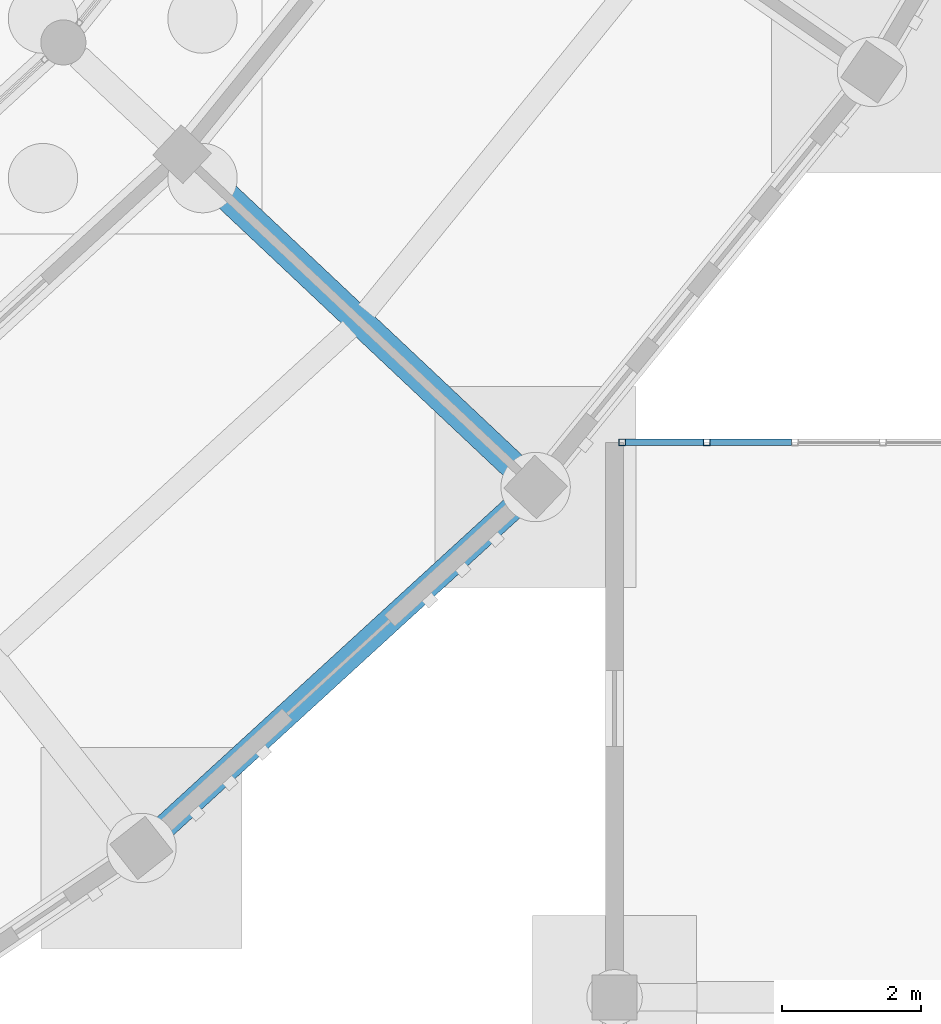
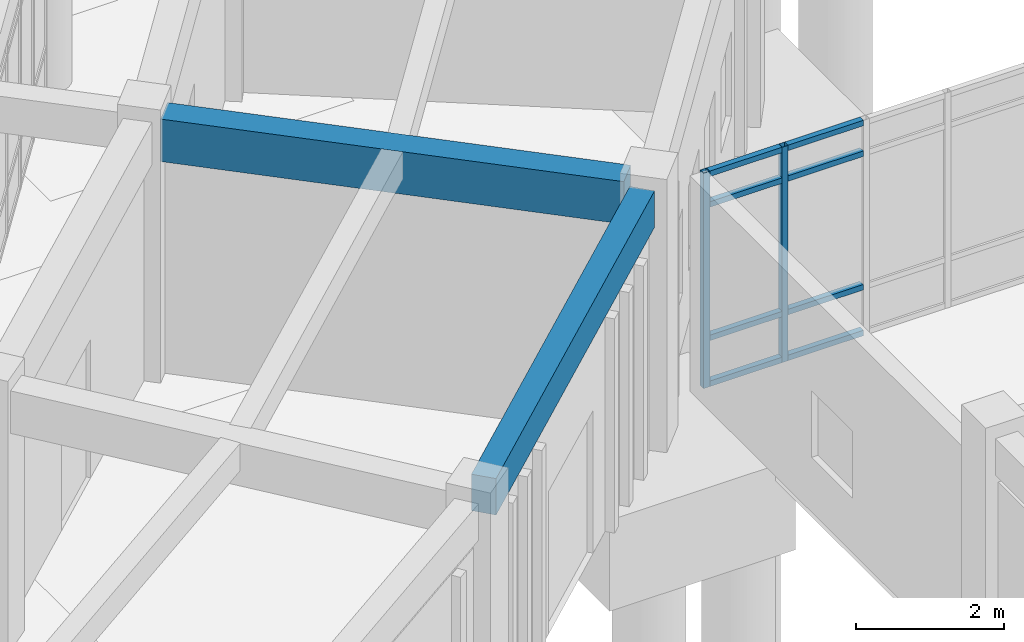
# One storey, part 49 of 153: 10 members, 2 beams, 1 element without a shape of its own.
"""IFC4 building model written with IfcOpenShell, lengths in metres."""

from ifc_helpers import new_model, si_unit, direction, frame, origin, origin_2d, place, context, subcontext, project, spatial, rectangle, hollow_rectangle, extrude, material, material_profile, profile_set, type_object, element, aggregate, save


model = new_model("IFC4")

# Units and contexts
model_context = context("Model", 3, precision=1e-05, world=origin(), true_north=direction((0.0, 1.0)))
body_context = subcontext(model_context, "Body", "Model", "MODEL_VIEW")
ifc_project = project(units=[si_unit("LENGTHUNIT", "METRE"), si_unit("AREAUNIT", "SQUARE_METRE"), si_unit("VOLUMEUNIT", "CUBIC_METRE"), si_unit("PLANEANGLEUNIT", "RADIAN"), si_unit("MASSUNIT", "GRAM", prefix="KILO")], contexts=[model_context])

# Site, building, storey
site_placement = place(None, origin())
site = spatial("IfcSite", under=ifc_project, at=site_placement, CompositionType="ELEMENT")
building_placement = place(site_placement, origin())
building = spatial("IfcBuilding", under=site, at=building_placement, Name="Celadon Cloister-Ring School", CompositionType="ELEMENT")
storey_placement = place(building_placement, origin())
storey = spatial("IfcBuildingStorey", under=building, at=storey_placement, Name="L00", CompositionType="ELEMENT", Elevation=0.0)

# Curtain wall, members
ifc_material_1 = material(Name="Aluminium EN AW-6063 T6", Category="aluminium")
curtain_wall_type = type_object("IfcCurtainWallType", Name="CW-10", PredefinedType="USERDEFINED", material=ifc_material_1)
curtain_wall_placement = place(storey_placement, origin())
curtain_wall = element("IfcCurtainWall", 1, at=curtain_wall_placement, inside=storey, type_object=curtain_wall_type, Name="Curtain Wall 0189", ObjectType="CURTAIN WALL", PredefinedType="USERDEFINED")
ifc_material_2 = material(Name="Aluminium EN AW-6063 T6", Category="aluminium")
ifc_material_profile_1 = material_profile(ifc_material_2, hollow_rectangle(XDim=0.094970703125, YDim=0.094970703125, WallThickness=0.00390625, at=origin_2d()), Name="RHS95X95X4")
ifc_profile_set_1 = profile_set([ifc_material_profile_1], Name="Aluminium EN AW-6063 T6")
member_type_1 = type_object("IfcMemberType", Name="CM-02", PredefinedType="MULLION", material=ifc_profile_set_1)
member_1_placement = place(storey_placement, frame((126.107421875, 24.0, 0.0), z_axis=(0.0, 0.0, 1.0), x_axis=(0.0, 1.0, 0.0)))
member_1 = element("IfcMember", 2, at=member_1_placement, type_object=member_type_1, Name="CW-10 mullion 1", PredefinedType="MULLION", context=body_context, shape_type="SweptSolid", body=[
    extrude(hollow_rectangle(XDim=0.094970703125, YDim=0.094970703125, WallThickness=0.00390625, at=origin_2d()), origin(), (0.0, 0.0, 1.0), 3.550048828125),
])
member_2_placement = place(storey_placement, frame((127.3291015625, 24.0, 0.0), z_axis=(0.0, 0.0, 1.0), x_axis=(0.0, 1.0, 0.0)))
member_2 = element("IfcMember", 3, at=member_2_placement, type_object=member_type_1, Name="CW-10 mullion 2", PredefinedType="MULLION", context=body_context, shape_type="SweptSolid", body=[
    extrude(hollow_rectangle(XDim=0.094970703125, YDim=0.094970703125, WallThickness=0.00390625, at=origin_2d()), origin(), (0.0, 0.0, 1.0), 3.550048828125),
])
ifc_material_3 = material(Name="Aluminium EN AW-6063 T6", Category="aluminium")
ifc_material_profile_2 = material_profile(ifc_material_3, hollow_rectangle(XDim=0.090087890625, YDim=0.090087890625, WallThickness=0.00390625, at=origin_2d()), Name="RHS90X90X4")
ifc_profile_set_2 = profile_set([ifc_material_profile_2], Name="Aluminium EN AW-6063 T6")
member_type_2 = type_object("IfcMemberType", Name="CTM-02", PredefinedType="USERDEFINED", material=ifc_profile_set_2)
member_3_placement = place(storey_placement, frame((126.155029296875, 24.0, 0.044921875), z_axis=(1.0, 0.0, 0.0), x_axis=(0.0, 1.0, 0.0)))
member_3 = element("IfcMember", 4, at=member_3_placement, type_object=member_type_2, Name="CW-10 transom 1.1", ObjectType="TRANSOM", PredefinedType="USERDEFINED", context=body_context, shape_type="SweptSolid", body=[
    extrude(hollow_rectangle(XDim=0.090087890625, YDim=0.090087890625, WallThickness=0.00390625, at=origin_2d()), origin(), (0.0, 0.0, 1.0), 1.126708984375),
])
member_4_placement = place(storey_placement, frame((126.155029296875, 24.0, 0.800048828125), z_axis=(1.0, 0.0, 0.0), x_axis=(0.0, 1.0, 0.0)))
member_4 = element("IfcMember", 5, at=member_4_placement, type_object=member_type_2, Name="CW-10 transom 1.2", ObjectType="TRANSOM", PredefinedType="USERDEFINED", context=body_context, shape_type="SweptSolid", body=[
    extrude(hollow_rectangle(XDim=0.090087890625, YDim=0.090087890625, WallThickness=0.00390625, at=origin_2d()), origin(), (0.0, 0.0, 1.0), 1.126708984375),
])
member_5_placement = place(storey_placement, frame((126.155029296875, 24.0, 3.0), z_axis=(1.0, 0.0, 0.0), x_axis=(0.0, 1.0, 0.0)))
member_5 = element("IfcMember", 6, at=member_5_placement, type_object=member_type_2, Name="CW-10 transom 1.3", ObjectType="TRANSOM", PredefinedType="USERDEFINED", context=body_context, shape_type="SweptSolid", body=[
    extrude(hollow_rectangle(XDim=0.090087890625, YDim=0.090087890625, WallThickness=0.00390625, at=origin_2d()), origin(), (0.0, 0.0, 1.0), 1.126708984375),
])
member_6_placement = place(storey_placement, frame((126.155029296875, 24.0, 3.5048828125), z_axis=(1.0, 0.0, 0.0), x_axis=(0.0, 1.0, 0.0)))
member_6 = element("IfcMember", 7, at=member_6_placement, type_object=member_type_2, Name="CW-10 transom 1.4", ObjectType="TRANSOM", PredefinedType="USERDEFINED", context=body_context, shape_type="SweptSolid", body=[
    extrude(hollow_rectangle(XDim=0.090087890625, YDim=0.090087890625, WallThickness=0.00390625, at=origin_2d()), origin(), (0.0, 0.0, 1.0), 1.126708984375),
])
member_7_placement = place(storey_placement, frame((127.376708984375, 24.0, 0.044921875), z_axis=(1.0, 0.0, 0.0), x_axis=(0.0, 1.0, 0.0)))
member_7 = element("IfcMember", 8, at=member_7_placement, type_object=member_type_2, Name="CW-10 transom 2.1", ObjectType="TRANSOM", PredefinedType="USERDEFINED", context=body_context, shape_type="SweptSolid", body=[
    extrude(hollow_rectangle(XDim=0.090087890625, YDim=0.090087890625, WallThickness=0.00390625, at=origin_2d()), origin(), (0.0, 0.0, 1.0), 1.174072265625),
])
member_8_placement = place(storey_placement, frame((127.376708984375, 24.0, 0.800048828125), z_axis=(1.0, 0.0, 0.0), x_axis=(0.0, 1.0, 0.0)))
member_8 = element("IfcMember", 9, at=member_8_placement, type_object=member_type_2, Name="CW-10 transom 2.2", ObjectType="TRANSOM", PredefinedType="USERDEFINED", context=body_context, shape_type="SweptSolid", body=[
    extrude(hollow_rectangle(XDim=0.090087890625, YDim=0.090087890625, WallThickness=0.00390625, at=origin_2d()), origin(), (0.0, 0.0, 1.0), 1.174072265625),
])
member_9_placement = place(storey_placement, frame((127.376708984375, 24.0, 3.0), z_axis=(1.0, 0.0, 0.0), x_axis=(0.0, 1.0, 0.0)))
member_9 = element("IfcMember", 10, at=member_9_placement, type_object=member_type_2, Name="CW-10 transom 2.3", ObjectType="TRANSOM", PredefinedType="USERDEFINED", context=body_context, shape_type="SweptSolid", body=[
    extrude(hollow_rectangle(XDim=0.090087890625, YDim=0.090087890625, WallThickness=0.00390625, at=origin_2d()), origin(), (0.0, 0.0, 1.0), 1.174072265625),
])
member_10_placement = place(storey_placement, frame((127.376708984375, 24.0, 3.5048828125), z_axis=(1.0, 0.0, 0.0), x_axis=(0.0, 1.0, 0.0)))
member_10 = element("IfcMember", 11, at=member_10_placement, type_object=member_type_2, Name="CW-10 transom 2.4", ObjectType="TRANSOM", PredefinedType="USERDEFINED", context=body_context, shape_type="SweptSolid", body=[
    extrude(hollow_rectangle(XDim=0.090087890625, YDim=0.090087890625, WallThickness=0.00390625, at=origin_2d()), origin(), (0.0, 0.0, 1.0), 1.174072265625),
])
aggregate(curtain_wall, [member_1, member_2, member_3, member_4, member_5, member_6, member_7, member_8, member_9, member_10])

# Beams
ifc_material_4 = material(Name="Concrete C35/45", Category="concrete")
ifc_material_profile_3 = material_profile(ifc_material_4, rectangle(XDim=0.39990234375, YDim=0.699951171875, at=origin_2d()), Name="RC400X700")
ifc_profile_set_3 = profile_set([ifc_material_profile_3], Name="Concrete C35/45")
beam_type_1 = type_object("IfcBeamType", Name="GT-03", PredefinedType="USERDEFINED", material=ifc_profile_set_3)
beam_1_placement = place(storey_placement, frame((124.64404296875, 23.56201171875, 3.929931640625), z_axis=(-0.728174336837, 0.685391957329, 0.0), x_axis=(-0.685391957329, -0.728174336837, 0.0)))
element("IfcBeam", 12, at=beam_1_placement, inside=storey, type_object=beam_type_1, Name="Beam 0044", ObjectType="GIRDER", PredefinedType="USERDEFINED", context=body_context, shape_type="SweptSolid", body=[
    extrude(rectangle(XDim=0.39990234375, YDim=0.699951171875, at=origin_2d()), origin(), (0.0, 0.0, 1.0), 6.425537109375),
])
ifc_material_5 = material(Name="Concrete C35/45", Category="concrete")
ifc_material_profile_4 = material_profile(ifc_material_5, rectangle(XDim=0.35009765625, YDim=0.60009765625, at=origin_2d()), Name="RC350X600")
ifc_profile_set_4 = profile_set([ifc_material_profile_4], Name="Concrete C35/45")
beam_type_2 = type_object("IfcBeamType", Name="SP-01", PredefinedType="SPANDREL", material=ifc_profile_set_4)
beam_2_placement = place(storey_placement, frame((119.40087890625, 18.35595703125, 3.97998046875), z_axis=(0.737604737807, 0.675232738221, 0.0), x_axis=(-0.675232738221, 0.737604737807, 0.0)))
element("IfcBeam", 13, at=beam_2_placement, inside=storey, type_object=beam_type_2, Name="Beam 0149", PredefinedType="SPANDREL", context=body_context, shape_type="SweptSolid", body=[
    extrude(rectangle(XDim=0.35009765625, YDim=0.60009765625, at=origin_2d()), origin(), (0.0, 0.0, 1.0), 7.1044921875),
])

save(model, "model.ifc")
